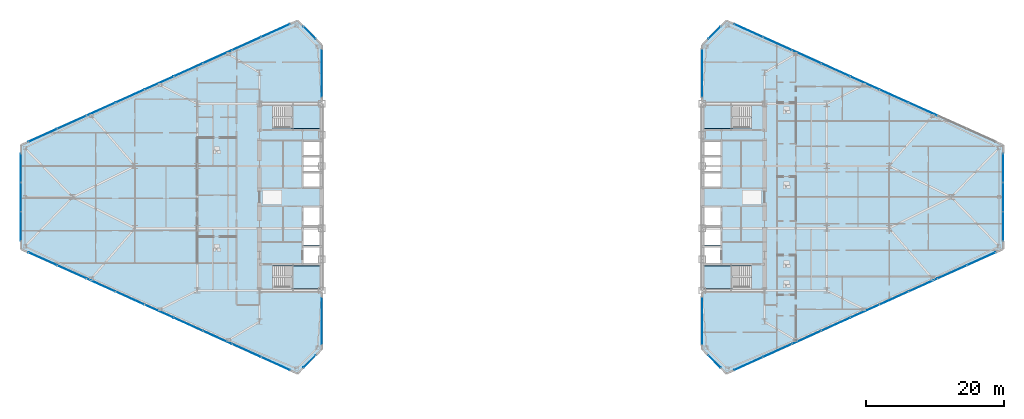
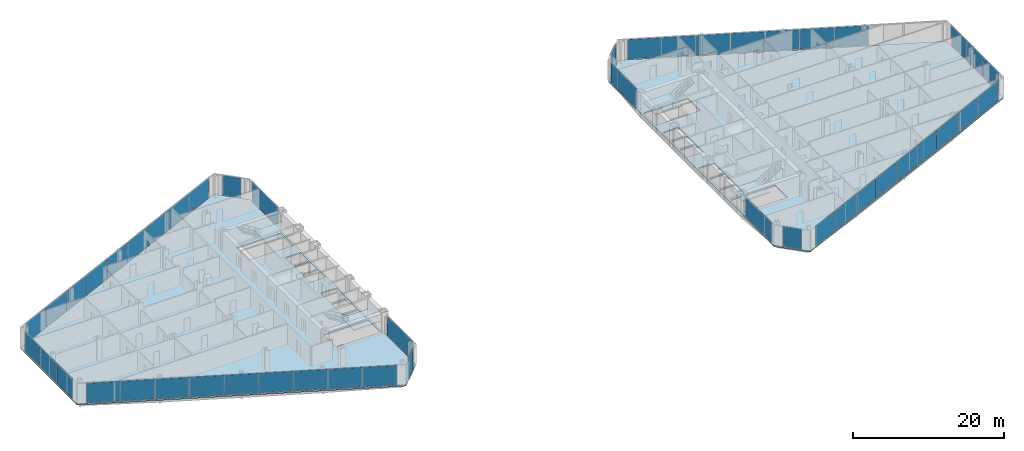
# One storey, part 17 of 27: 48 plates, 6 slabs, 18 elements without a shape of their own.
"""IFC4 building model written with IfcOpenShell, lengths in metres."""

import ifcopenshell
import ifcopenshell.guid

model = None  # the IFC model being written
_history = None  # IfcOwnerHistory: only IFC2X3 demands one
_inside = {}  # id of a spatial element -> (the spatial element, [elements in it])
_under = {}  # id of a project, library or spatial element -> (it, [spatial elements below it])
_declared = {}  # id of a project -> (the project, [libraries it declares])
_typed = {}  # id of a type object -> (the type object, [elements of that type])
_made_of = {}  # id of a material, layer set ... -> (it, [elements and type objects made of it])


def new_model(schema):
    """Start an empty IFC model of exactly this schema.

    Asked for "IFC4X3", IfcOpenShell would pick the latest addendum, in which some entities
    have other attributes; the version numbers below select the first issue.
    IFC2X3 requires an IfcOwnerHistory on every rooted entity: one is made here for all.
    """
    global model, _history
    if schema == "IFC4X3":
        model = ifcopenshell.file(schema_version=(4, 3, 0, 0))
    else:
        model = ifcopenshell.file(schema=schema)
    _inside.clear()
    _under.clear()
    _declared.clear()
    _typed.clear()
    _made_of.clear()
    _history = None
    if model.schema == "IFC2X3":
        org = make("IfcOrganization", Name="unknown")
        user = make(
            "IfcPersonAndOrganization",
            ThePerson=make("IfcPerson", FamilyName="unknown"),
            TheOrganization=org,
        )
        app = make(
            "IfcApplication",
            ApplicationDeveloper=org,
            Version="unknown",
            ApplicationFullName="unknown",
            ApplicationIdentifier="unknown",
        )
        _history = make(
            "IfcOwnerHistory",
            OwningUser=user,
            OwningApplication=app,
            ChangeAction="ADDED",
            CreationDate=0,
        )
    return model


def make(cls, **values):
    """One entity of the class cls with the attributes given. An attribute that is None is left unset."""
    return model.create_entity(
        cls, **{name: value for name, value in values.items() if value is not None}
    )


def rooted(cls, **values):
    """An entity with a GlobalId (a new one), such as an element, a storey or a relation."""
    return make(cls, GlobalId=ifcopenshell.guid.new(), OwnerHistory=_history, **values)


def si_unit(unit_type, name, prefix=None):
    """IfcSIUnit, for example si_unit("LENGTHUNIT", "METRE", prefix="MILLI")."""
    return make("IfcSIUnit", UnitType=unit_type, Prefix=prefix, Name=name)


def assignment(units):
    """IfcUnitAssignment: the units of a project."""
    return None if units is None else make("IfcUnitAssignment", Units=units)


def point(xyz):
    """IfcCartesianPoint."""
    return None if xyz is None else make("IfcCartesianPoint", Coordinates=xyz)


def direction(xyz):
    """IfcDirection."""
    return None if xyz is None else make("IfcDirection", DirectionRatios=xyz)


def frame(location, z_axis=None, x_axis=None):
    """IfcAxis2Placement3D, a coordinate frame: its origin and axes. An axis left out is left unset."""
    return make(
        "IfcAxis2Placement3D",
        Location=point(location),
        Axis=direction(z_axis),
        RefDirection=direction(x_axis),
    )


def frame_2d(location, x_axis=None):
    """IfcAxis2Placement2D, a coordinate frame in the plane: its origin and x axis."""
    return make(
        "IfcAxis2Placement2D", Location=point(location), RefDirection=direction(x_axis)
    )


def origin():
    """The frame at (0, 0, 0) with its axes left unset."""
    return frame((0.0, 0.0, 0.0))


def origin_2d():
    """The frame at (0, 0) in the plane with its x axis left unset."""
    return frame_2d((0.0, 0.0))


def place(relative_to, where):
    """IfcLocalPlacement: puts the frame where relative to a parent placement (None: the world)."""
    return make(
        "IfcLocalPlacement", PlacementRelTo=relative_to, RelativePlacement=where
    )


def context(
    kind, dimensions, precision=None, world=None, true_north=None, identifier=None
):
    """IfcGeometricRepresentationContext, for example the 3D "Model" context."""
    return make(
        "IfcGeometricRepresentationContext",
        ContextIdentifier=identifier,
        ContextType=kind,
        CoordinateSpaceDimension=dimensions,
        Precision=precision,
        WorldCoordinateSystem=world,
        TrueNorth=true_north,
    )


def subcontext(parent, identifier, kind, view, scale=None):
    """IfcGeometricRepresentationSubContext, for example "Body" below "Model"."""
    return make(
        "IfcGeometricRepresentationSubContext",
        ContextIdentifier=identifier,
        ContextType=kind,
        ParentContext=parent,
        TargetScale=scale,
        TargetView=view,
    )


def project(units=None, contexts=None):
    """IfcProject with its units and contexts."""
    return rooted(
        "IfcProject",
        Name="project",
        RepresentationContexts=contexts,
        UnitsInContext=assignment(units),
    )


def spatial(cls, under=None, at=None, **own):
    """A site, building, storey or space (cls), placed at a placement, below another one or the project."""
    s = rooted(cls, ObjectPlacement=at, **own)
    if under is not None:
        _under.setdefault(under.id(), (under, []))[1].append(s)
    return s


def polyline(points):
    """IfcPolyline through the points."""
    return make("IfcPolyline", Points=[point(p) for p in points])


def profile(cls, at=None, kind="AREA", **sizes):
    """A parametric profile (cls). Its sizes go by their IFC names, for example OverallWidth=200.0."""
    return make(cls, ProfileType=kind, Position=at, **sizes)


def rectangle(**sizes):
    """IfcRectangleProfileDef."""
    return profile("IfcRectangleProfileDef", **sizes)


def outline(outer, holes=None, kind="AREA"):
    """IfcArbitraryClosedProfileDef: a profile drawn as a closed curve; with holes, ...WithVoids."""
    if holes is None:
        return make("IfcArbitraryClosedProfileDef", ProfileType=kind, OuterCurve=outer)
    return make(
        "IfcArbitraryProfileDefWithVoids",
        ProfileType=kind,
        OuterCurve=outer,
        InnerCurves=holes,
    )


def extrude(swept, where, along, depth):
    """IfcExtrudedAreaSolid: the profile swept, set in the frame where, extruded along a direction by depth."""
    return make(
        "IfcExtrudedAreaSolid",
        SweptArea=swept,
        Position=where,
        ExtrudedDirection=direction(along),
        Depth=depth,
    )


def shape(context_of_items, identifier, shape_type, items):
    """IfcShapeRepresentation: the items that make up one representation, for example the "Body"."""
    return make(
        "IfcShapeRepresentation",
        ContextOfItems=context_of_items,
        RepresentationIdentifier=identifier,
        RepresentationType=shape_type,
        Items=items,
    )


def source(mapping_origin, context_of_items, identifier, shape_type, items):
    """IfcRepresentationMap: a shape defined once, which mapped items show again and again."""
    return make(
        "IfcRepresentationMap",
        MappingOrigin=mapping_origin,
        MappedRepresentation=shape(context_of_items, identifier, shape_type, items),
    )


def transform(
    local_origin,
    x_axis=None,
    y_axis=None,
    z_axis=None,
    scale=None,
    scale2=None,
    scale3=None,
    uniform=True,
):
    """IfcCartesianTransformationOperator3D, or its non-uniform kind. x_axis, y_axis, z_axis: its Axis1, 2, 3."""
    if uniform:
        return make(
            "IfcCartesianTransformationOperator3D",
            Axis1=direction(x_axis),
            Axis2=direction(y_axis),
            LocalOrigin=point(local_origin),
            Scale=scale,
            Axis3=direction(z_axis),
        )
    return make(
        "IfcCartesianTransformationOperator3DnonUniform",
        Axis1=direction(x_axis),
        Axis2=direction(y_axis),
        LocalOrigin=point(local_origin),
        Scale=scale,
        Axis3=direction(z_axis),
        Scale2=scale2,
        Scale3=scale3,
    )


def mapped(mapping_source, mapping_target):
    """IfcMappedItem: shows the shape of a source again, moved by a transform."""
    return make(
        "IfcMappedItem", MappingSource=mapping_source, MappingTarget=mapping_target
    )


def material(Name=None, Category=None):
    """IfcMaterial."""
    return make("IfcMaterial", Name=Name, Category=Category)


def layer(
    of_material, thickness, ventilated=None, Name=None, Category=None, Priority=None
):
    """IfcMaterialLayer: one layer of a wall or slab, of a material (None: an air gap)."""
    return make(
        "IfcMaterialLayer",
        Material=of_material,
        LayerThickness=thickness,
        IsVentilated=ventilated,
        Name=Name,
        Category=Category,
        Priority=Priority,
    )


def layer_set(layers, Name=None):
    """IfcMaterialLayerSet."""
    return make("IfcMaterialLayerSet", MaterialLayers=layers, LayerSetName=Name)


def made_of(thing, what):
    """Note that an element or type object is made of a material, layer set ...; save() writes the relation."""
    if what is not None:
        _made_of.setdefault(what.id(), (what, []))[1].append(thing)
    return thing


def type_object(cls, material=None, **own):
    """A type object (cls), such as IfcWallType, which elements share."""
    return made_of(rooted(cls, **own), material)


def type_shapes(of_type, sources):
    """Give a type object the sources (RepresentationMaps) that its elements show as mapped items."""
    of_type.RepresentationMaps = sources


def element(
    cls,
    number,
    at=None,
    inside=None,
    cuts=None,
    type_object=None,
    material=None,
    context=None,
    identifier="Body",
    shape_type=None,
    held_by="IfcProductDefinitionShape",
    body=None,
    shapes=None,
    **own,
):
    """One element of the class cls, such as IfcWall. Its Tag is "e" and its number.

    at: its placement. inside: the storey or other place that contains it. cuts: it is an
    opening in that element (IfcRelVoidsElement). A single representation is given by context,
    identifier, shape_type and body (its items); several are given by shapes. held_by: the class
    of the entity that holds the representations. save() writes the other relations.
    """
    e = rooted(cls, Tag="e%d" % number, ObjectPlacement=at, **own)
    if body is not None:
        shapes = [shape(context, identifier, shape_type, body)]
    if shapes is not None:
        e.Representation = make(held_by, Representations=shapes)
    if inside is not None:
        _inside.setdefault(inside.id(), (inside, []))[1].append(e)
    if cuts is not None:
        rooted(
            "IfcRelVoidsElement", RelatingBuildingElement=cuts, RelatedOpeningElement=e
        )
    if type_object is not None:
        _typed.setdefault(type_object.id(), (type_object, []))[1].append(e)
    return made_of(e, material)


def aggregate(whole, parts):
    """IfcRelAggregates: a whole, such as a stair, and the parts it consists of."""
    return rooted("IfcRelAggregates", RelatingObject=whole, RelatedObjects=parts)


def save(model, path):
    """Write the relations noted so far, then the file.

    IfcRelAggregates (storeys below a building ...), IfcRelContainedInSpatialStructure (elements
    in a storey), IfcRelDefinesByType, IfcRelAssociatesMaterial and IfcRelDeclares: one each for
    every whole, place, type object, material and project.
    """
    for whole, parts in _under.values():
        aggregate(whole, parts)
    for where, things in _inside.values():
        rooted(
            "IfcRelContainedInSpatialStructure",
            RelatedElements=things,
            RelatingStructure=where,
        )
    for kind, things in _typed.values():
        rooted("IfcRelDefinesByType", RelatedObjects=things, RelatingType=kind)
    for what, things in _made_of.values():
        rooted("IfcRelAssociatesMaterial", RelatedObjects=things, RelatingMaterial=what)
    for by, libraries in _declared.values():
        rooted("IfcRelDeclares", RelatingContext=by, RelatedDefinitions=libraries)
    model.write(path)


model = new_model("IFC4")

# Units and contexts
model_context = context("Model", 3, precision=1e-05, world=origin(), true_north=direction((0.0, 1.0)))
body_context = subcontext(model_context, "Body", "Model", "MODEL_VIEW")
ifc_project = project(units=[si_unit("LENGTHUNIT", "METRE"), si_unit("AREAUNIT", "SQUARE_METRE"), si_unit("VOLUMEUNIT", "CUBIC_METRE"), si_unit("PLANEANGLEUNIT", "RADIAN"), si_unit("MASSUNIT", "GRAM", prefix="KILO")], contexts=[model_context])

# Site, building, storey
site_placement = place(None, origin())
site = spatial("IfcSite", under=ifc_project, at=site_placement, CompositionType="ELEMENT")
building_placement = place(site_placement, origin())
building = spatial("IfcBuilding", under=site, at=building_placement, Name="Seokmaru Belvedere", CompositionType="ELEMENT")
storey_placement = place(building_placement, frame((0.0, 0.0, 83.699951171875)))
storey = spatial("IfcBuildingStorey", under=building, at=storey_placement, Name="L22", CompositionType="ELEMENT", Elevation=83.699951171875)

# Stair, slab
ifc_material_1 = material(Name="Concrete C40 (40 MPa)", Category="concrete")
stair_type = type_object("IfcStairType", Name="Typical Tower Core Dog-Leg Stair 3600", PredefinedType="TWO_STRAIGHT_RUN_STAIR", material=ifc_material_1)
stair_1_placement = place(storey_placement, origin())
stair_1 = element("IfcStair", 1, at=stair_1_placement, inside=storey, type_object=stair_type, Name="L22 Special Escape Stair ST-W1", PredefinedType="TWO_STRAIGHT_RUN_STAIR")
ifc_layer_1 = layer(ifc_material_1, 0.199951171875)
ifc_layer_set_1 = layer_set([ifc_layer_1], Name="Concrete C40 (40 MPa)")
slab_type_1 = type_object("IfcSlabType", Name="Reinforced Concrete Stair Landing Slab 200", PredefinedType="LANDING", material=ifc_layer_set_1)
slab_1_placement = place(storey_placement, frame((0.0, 0.0, 1.60009765625)))
slab_1 = element("IfcSlab", 2, at=slab_1_placement, type_object=slab_type_1, Name="ST-W1 landing 1", PredefinedType="LANDING", context=body_context, shape_type="SweptSolid", body=[
    extrude(outline(polyline([(-31.8798828125, -13.239990234375), (-27.760009765625, -13.239990234375), (-27.760009765625, -9.949951171875), (-31.8798828125, -9.949951171875), (-31.8798828125, -13.239990234375)])), origin(), (0.0, 0.0, 1.0), 0.199951171875),
])
aggregate(stair_1, [slab_1])

stair_2_placement = place(storey_placement, origin())
stair_2 = element("IfcStair", 3, at=stair_2_placement, inside=storey, type_object=stair_type, Name="L22 Special Escape Stair ST-W2", PredefinedType="TWO_STRAIGHT_RUN_STAIR")
slab_2_placement = place(storey_placement, frame((0.0, 0.0, 1.60009765625)))
slab_2 = element("IfcSlab", 4, at=slab_2_placement, type_object=slab_type_1, Name="ST-W2 landing 1", PredefinedType="LANDING", context=body_context, shape_type="SweptSolid", body=[
    extrude(outline(polyline([(-31.8798828125, 9.949951171875), (-27.760009765625, 9.949951171875), (-27.760009765625, 13.239990234375), (-31.8798828125, 13.239990234375), (-31.8798828125, 9.949951171875)])), origin(), (0.0, 0.0, 1.0), 0.199951171875),
])
aggregate(stair_2, [slab_2])

stair_3_placement = place(storey_placement, origin())
stair_3 = element("IfcStair", 5, at=stair_3_placement, inside=storey, type_object=stair_type, Name="L22 Special Escape Stair ST-E1", PredefinedType="TWO_STRAIGHT_RUN_STAIR")
slab_3_placement = place(storey_placement, frame((0.0, 0.0, 1.60009765625)))
slab_3 = element("IfcSlab", 6, at=slab_3_placement, type_object=slab_type_1, Name="ST-E1 landing 1", PredefinedType="LANDING", context=body_context, shape_type="SweptSolid", body=[
    extrude(outline(polyline([(27.760009765625, -13.239990234375), (31.8798828125, -13.239990234375), (31.8798828125, -9.949951171875), (27.760009765625, -9.949951171875), (27.760009765625, -13.239990234375)])), origin(), (0.0, 0.0, 1.0), 0.199951171875),
])
aggregate(stair_3, [slab_3])

stair_4_placement = place(storey_placement, origin())
stair_4 = element("IfcStair", 7, at=stair_4_placement, inside=storey, type_object=stair_type, Name="L22 Special Escape Stair ST-E2", PredefinedType="TWO_STRAIGHT_RUN_STAIR")
slab_4_placement = place(storey_placement, frame((0.0, 0.0, 1.60009765625)))
slab_4 = element("IfcSlab", 8, at=slab_4_placement, type_object=slab_type_1, Name="ST-E2 landing 1", PredefinedType="LANDING", context=body_context, shape_type="SweptSolid", body=[
    extrude(outline(polyline([(27.760009765625, 9.949951171875), (31.8798828125, 9.949951171875), (31.8798828125, 13.239990234375), (27.760009765625, 13.239990234375), (27.760009765625, 9.949951171875)])), origin(), (0.0, 0.0, 1.0), 0.199951171875),
])
aggregate(stair_4, [slab_4])

# Slabs
ifc_layer_2 = layer(ifc_material_1, 0.219970703125)
ifc_layer_set_2 = layer_set([ifc_layer_2], Name="Concrete C40 (40 MPa)")
slab_type_2 = type_object("IfcSlabType", Name="Typical Tower Composite Floor Slab 220", PredefinedType="FLOOR", material=ifc_layer_set_2)
slab_5_placement = place(storey_placement, frame((0.0, 0.0, -0.219970703125)))
element("IfcSlab", 9, at=slab_5_placement, inside=storey, type_object=slab_type_2, Name="L22 West Leg Floor Slab", PredefinedType="FLOOR", context=body_context, shape_type="SweptSolid", body=[
    extrude(outline(polyline([(-27.5, -22.0), (-27.5, 22.0), (-31.0, 25.5), (-71.0, 7.5), (-71.0, -7.5), (-31.0, -25.5), (-27.5, -22.0)]), holes=[polyline([(-34.60009765625, -13.25), (-27.75, -13.25), (-27.75, -9.949951171875), (-34.60009765625, -9.949951171875), (-34.60009765625, -13.25)]), polyline([(-34.60009765625, 9.949951171875), (-27.75, 9.949951171875), (-27.75, 13.25), (-34.60009765625, 13.25), (-34.60009765625, 9.949951171875)]), polyline([(-30.14990234375, -9.550048828125), (-27.75, -9.550048828125), (-27.75, -7.25), (-30.14990234375, -7.25), (-30.14990234375, -9.550048828125)]), polyline([(-30.14990234375, -6.949951171875), (-27.75, -6.949951171875), (-27.75, -4.35009765625), (-30.14990234375, -4.35009765625), (-30.14990234375, -6.949951171875)]), polyline([(-30.14990234375, -4.050048828125), (-27.75, -4.050048828125), (-27.75, -1.449951171875), (-30.14990234375, -1.449951171875), (-30.14990234375, -4.050048828125)]), polyline([(-30.14990234375, 1.449951171875), (-27.75, 1.449951171875), (-27.75, 3.449951171875), (-30.14990234375, 3.449951171875), (-30.14990234375, 1.449951171875)]), polyline([(-30.14990234375, 3.75), (-27.75, 3.75), (-27.75, 5.75), (-30.14990234375, 5.75), (-30.14990234375, 3.75)]), polyline([(-30.14990234375, 6.050048828125), (-27.75, 6.050048828125), (-27.75, 8.050048828125), (-30.14990234375, 8.050048828125), (-30.14990234375, 6.050048828125)])]), origin(), (0.0, 0.0, 1.0), 0.219970703125),
])
slab_6_placement = place(storey_placement, frame((0.0, 0.0, -0.219970703125)))
element("IfcSlab", 10, at=slab_6_placement, inside=storey, type_object=slab_type_2, Name="L22 East Leg Floor Slab", PredefinedType="FLOOR", context=body_context, shape_type="SweptSolid", body=[
    extrude(outline(polyline([(31.0, -25.5), (71.0, -7.5), (71.0, 7.5), (31.0, 25.5), (27.5, 22.0), (27.5, -22.0), (31.0, -25.5)]), holes=[polyline([(27.75, -13.25), (34.60009765625, -13.25), (34.60009765625, -9.949951171875), (27.75, -9.949951171875), (27.75, -13.25)]), polyline([(27.75, 9.949951171875), (34.60009765625, 9.949951171875), (34.60009765625, 13.25), (27.75, 13.25), (27.75, 9.949951171875)]), polyline([(27.75, -9.550048828125), (30.14990234375, -9.550048828125), (30.14990234375, -7.25), (27.75, -7.25), (27.75, -9.550048828125)]), polyline([(27.75, -6.949951171875), (30.14990234375, -6.949951171875), (30.14990234375, -4.35009765625), (27.75, -4.35009765625), (27.75, -6.949951171875)]), polyline([(27.75, -4.050048828125), (30.14990234375, -4.050048828125), (30.14990234375, -1.449951171875), (27.75, -1.449951171875), (27.75, -4.050048828125)]), polyline([(27.75, 1.449951171875), (30.14990234375, 1.449951171875), (30.14990234375, 3.449951171875), (27.75, 3.449951171875), (27.75, 1.449951171875)]), polyline([(27.75, 3.75), (30.14990234375, 3.75), (30.14990234375, 5.75), (27.75, 5.75), (27.75, 3.75)]), polyline([(27.75, 6.050048828125), (30.14990234375, 6.050048828125), (30.14990234375, 8.050048828125), (27.75, 8.050048828125), (27.75, 6.050048828125)])]), origin(), (0.0, 0.0, 1.0), 0.219970703125),
])

# Curtain wall, plate
ifc_material_2 = material(Name="Bronze Triple Insulating Glass", Category="glass")
ifc_layer_3 = layer(ifc_material_2, 0.195068359375)
ifc_layer_set_3 = layer_set([ifc_layer_3], Name="Bronze Triple Insulating Glass")
curtain_wall_type = type_object("IfcCurtainWallType", Name="Lower-Mid Tapered Curtain Wall System CW-3", PredefinedType="NOTDEFINED", material=ifc_layer_set_3)
curtain_wall_1_placement = place(storey_placement, origin())
curtain_wall_1 = element("IfcCurtainWall", 11, at=curtain_wall_1_placement, inside=storey, type_object=curtain_wall_type, Name="L22 Curtain Wall WSP_1", PredefinedType="NOTDEFINED")
ifc_layer_4 = layer(ifc_material_2, 0.035888671875)
ifc_layer_set_4 = layer_set([ifc_layer_4], Name="Bronze Triple Insulating Glass")
plate_type = type_object("IfcPlateType", Name="Bronze Triple Vision Glazing Panel 36", PredefinedType="CURTAIN_PANEL", material=ifc_layer_set_4)
shared_shape_1 = source(origin(), body_context, "Body", "SweptSolid", [
    extrude(rectangle(XDim=6.909912109375, YDim=0.035888671875, at=origin_2d()), origin(), (0.0, 0.0, 1.0), 3.199951171875),
])
plate_1_placement = place(storey_placement, frame((-27.5, -17.905029296875, 0.0703125), z_axis=(0.0, 0.0, 1.0), x_axis=(0.0, 1.0, 0.0)))
plate_1 = element("IfcPlate", 12, at=plate_1_placement, type_object=plate_type, Name="CW:L22:WSP_1 Glazing Panel 1-1", PredefinedType="CURTAIN_PANEL", context=body_context, shape_type="MappedRepresentation", body=[
    mapped(shared_shape_1, transform((0.0, 0.0, 0.0), scale=1.0)),
])
aggregate(curtain_wall_1, [plate_1])

curtain_wall_2_placement = place(storey_placement, origin())
curtain_wall_2 = element("IfcCurtainWall", 13, at=curtain_wall_2_placement, inside=storey, type_object=curtain_wall_type, Name="L22 Curtain Wall WSP_2", PredefinedType="NOTDEFINED")
plate_2_placement = place(storey_placement, frame((-27.5, 17.905029296875, 0.0703125), z_axis=(0.0, 0.0, 1.0), x_axis=(0.0, 1.0, 0.0)))
plate_2 = element("IfcPlate", 14, at=plate_2_placement, type_object=plate_type, Name="CW:L22:WSP_2 Glazing Panel 1-1", PredefinedType="CURTAIN_PANEL", context=body_context, shape_type="MappedRepresentation", body=[
    mapped(shared_shape_1, transform((0.0, 0.0, 0.0), scale=1.0)),
])
aggregate(curtain_wall_2, [plate_2])

curtain_wall_3_placement = place(storey_placement, origin())
curtain_wall_3 = element("IfcCurtainWall", 15, at=curtain_wall_3_placement, inside=storey, type_object=curtain_wall_type, Name="L22 Curtain Wall ESP_1", PredefinedType="NOTDEFINED")
plate_3_placement = place(storey_placement, frame((27.5, -17.905029296875, 0.0703125), z_axis=(0.0, 0.0, 1.0), x_axis=(0.0, -1.0, 0.0)))
plate_3 = element("IfcPlate", 16, at=plate_3_placement, type_object=plate_type, Name="CW:L22:ESP_1 Glazing Panel 1-1", PredefinedType="CURTAIN_PANEL", context=body_context, shape_type="MappedRepresentation", body=[
    mapped(shared_shape_1, transform((0.0, 0.0, 0.0), scale=1.0)),
])
aggregate(curtain_wall_3, [plate_3])

curtain_wall_4_placement = place(storey_placement, origin())
curtain_wall_4 = element("IfcCurtainWall", 17, at=curtain_wall_4_placement, inside=storey, type_object=curtain_wall_type, Name="L22 Curtain Wall ESP_2", PredefinedType="NOTDEFINED")
plate_4_placement = place(storey_placement, frame((27.5, 17.905029296875, 0.0703125), z_axis=(0.0, 0.0, 1.0), x_axis=(0.0, -1.0, 0.0)))
plate_4 = element("IfcPlate", 18, at=plate_4_placement, type_object=plate_type, Name="CW:L22:ESP_2 Glazing Panel 1-1", PredefinedType="CURTAIN_PANEL", context=body_context, shape_type="MappedRepresentation", body=[
    mapped(shared_shape_1, transform((0.0, 0.0, 0.0), scale=1.0)),
])
aggregate(curtain_wall_4, [plate_4])

curtain_wall_5_placement = place(storey_placement, origin())
curtain_wall_5 = element("IfcCurtainWall", 19, at=curtain_wall_5_placement, inside=storey, type_object=curtain_wall_type, Name="L22 Curtain Wall WF2", PredefinedType="NOTDEFINED")
shared_shape_2 = source(origin(), body_context, "Body", "SweptSolid", [
    extrude(rectangle(XDim=2.509765625, YDim=0.035888671875, at=origin_2d()), origin(), (0.0, 0.0, 1.0), 3.199951171875),
])
plate_5_placement = place(storey_placement, frame((-29.25, 23.75, 0.0703125), z_axis=(0.0, 0.0, 1.0), x_axis=(-0.707106781187, 0.707106781187, 0.0)))
plate_5 = element("IfcPlate", 20, at=plate_5_placement, type_object=plate_type, Name="CW:L22:WF2 Glazing Panel 1-1", PredefinedType="CURTAIN_PANEL", context=body_context, shape_type="MappedRepresentation", body=[
    mapped(shared_shape_2, transform((0.0, 0.0, 0.0), scale=1.0)),
])
aggregate(curtain_wall_5, [plate_5])

curtain_wall_6_placement = place(storey_placement, origin())
curtain_wall_6 = element("IfcCurtainWall", 21, at=curtain_wall_6_placement, inside=storey, type_object=curtain_wall_type, Name="L22 Curtain Wall WF6", PredefinedType="NOTDEFINED")
plate_6_placement = place(storey_placement, frame((-29.25, -23.75, 0.0703125), z_axis=(0.0, 0.0, 1.0), x_axis=(0.707106781187, 0.707106781187, 0.0)))
plate_6 = element("IfcPlate", 22, at=plate_6_placement, type_object=plate_type, Name="CW:L22:WF6 Glazing Panel 1-1", PredefinedType="CURTAIN_PANEL", context=body_context, shape_type="MappedRepresentation", body=[
    mapped(shared_shape_2, transform((0.0, 0.0, 0.0), scale=1.0)),
])
aggregate(curtain_wall_6, [plate_6])

curtain_wall_7_placement = place(storey_placement, origin())
curtain_wall_7 = element("IfcCurtainWall", 23, at=curtain_wall_7_placement, inside=storey, type_object=curtain_wall_type, Name="L22 Curtain Wall EF4", PredefinedType="NOTDEFINED")
plate_7_placement = place(storey_placement, frame((29.25, 23.75, 0.0703125), z_axis=(0.0, 0.0, 1.0), x_axis=(-0.707106781187, -0.707106781187, 0.0)))
plate_7 = element("IfcPlate", 24, at=plate_7_placement, type_object=plate_type, Name="CW:L22:EF4 Glazing Panel 1-1", PredefinedType="CURTAIN_PANEL", context=body_context, shape_type="MappedRepresentation", body=[
    mapped(shared_shape_2, transform((0.0, 0.0, 0.0), scale=1.0)),
])
aggregate(curtain_wall_7, [plate_7])

curtain_wall_8_placement = place(storey_placement, origin())
curtain_wall_8 = element("IfcCurtainWall", 25, at=curtain_wall_8_placement, inside=storey, type_object=curtain_wall_type, Name="L22 Curtain Wall EF6", PredefinedType="NOTDEFINED")
plate_8_placement = place(storey_placement, frame((29.25, -23.75, 0.0703125), z_axis=(0.0, 0.0, 1.0), x_axis=(0.707106781187, -0.707106781187, 0.0)))
plate_8 = element("IfcPlate", 26, at=plate_8_placement, type_object=plate_type, Name="CW:L22:EF6 Glazing Panel 1-1", PredefinedType="CURTAIN_PANEL", context=body_context, shape_type="MappedRepresentation", body=[
    mapped(shared_shape_2, transform((0.0, 0.0, 0.0), scale=1.0)),
])
aggregate(curtain_wall_8, [plate_8])

# Curtain wall, plates
curtain_wall_9_placement = place(storey_placement, origin())
curtain_wall_9 = element("IfcCurtainWall", 27, at=curtain_wall_9_placement, inside=storey, type_object=curtain_wall_type, Name="L22 Curtain Wall WF3", PredefinedType="NOTDEFINED")
shared_shape_3 = source(origin(), body_context, "Body", "SweptSolid", [
    extrude(rectangle(XDim=4.51318359375, YDim=0.035888671875, at=origin_2d()), origin(), (0.0, 0.0, 1.0), 3.199951171875),
])
plate_9_placement = place(storey_placement, frame((-34.17041015625, 24.073486328125, 0.0703125), z_axis=(0.0, 0.0, 1.0), x_axis=(-0.91192111353, -0.41036554765, 0.0)))
plate_9 = element("IfcPlate", 28, at=plate_9_placement, type_object=plate_type, Name="CW:L22:WF3 Glazing Panel 1-1", PredefinedType="CURTAIN_PANEL", context=body_context, shape_type="MappedRepresentation", body=[
    mapped(shared_shape_3, transform((0.0, 0.0, 0.0), scale=1.0)),
])
plate_10_placement = place(storey_placement, frame((-67.82958984375, 8.926513671875, 0.0703125), z_axis=(0.0, 0.0, 1.0), x_axis=(-0.91192111353, -0.41036554765, 0.0)))
plate_10 = element("IfcPlate", 29, at=plate_10_placement, type_object=plate_type, Name="CW:L22:WF3 Glazing Panel 9-1", PredefinedType="CURTAIN_PANEL", context=body_context, shape_type="MappedRepresentation", body=[
    mapped(shared_shape_3, transform((0.0, 0.0, 0.0), scale=1.0)),
])

curtain_wall_10_placement = place(storey_placement, origin())
curtain_wall_10 = element("IfcCurtainWall", 30, at=curtain_wall_10_placement, inside=storey, type_object=curtain_wall_type, Name="L22 Curtain Wall WF5", PredefinedType="NOTDEFINED")
plate_11_placement = place(storey_placement, frame((-67.82958984375, -8.926513671875, 0.0703125), z_axis=(0.0, 0.0, 1.0), x_axis=(0.91192111353, -0.41036554765, 0.0)))
plate_11 = element("IfcPlate", 31, at=plate_11_placement, type_object=plate_type, Name="CW:L22:WF5 Glazing Panel 1-1", PredefinedType="CURTAIN_PANEL", context=body_context, shape_type="MappedRepresentation", body=[
    mapped(shared_shape_3, transform((0.0, 0.0, 0.0), scale=1.0)),
])
plate_12_placement = place(storey_placement, frame((-34.17041015625, -24.073486328125, 0.0703125), z_axis=(0.0, 0.0, 1.0), x_axis=(0.91192111353, -0.41036554765, 0.0)))
plate_12 = element("IfcPlate", 32, at=plate_12_placement, type_object=plate_type, Name="CW:L22:WF5 Glazing Panel 9-1", PredefinedType="CURTAIN_PANEL", context=body_context, shape_type="MappedRepresentation", body=[
    mapped(shared_shape_3, transform((0.0, 0.0, 0.0), scale=1.0)),
])

curtain_wall_11_placement = place(storey_placement, origin())
curtain_wall_11 = element("IfcCurtainWall", 33, at=curtain_wall_11_placement, inside=storey, type_object=curtain_wall_type, Name="L22 Curtain Wall EF1", PredefinedType="NOTDEFINED")
plate_13_placement = place(storey_placement, frame((34.17041015625, -24.073486328125, 0.0703125), z_axis=(0.0, 0.0, 1.0), x_axis=(0.91192111353, 0.41036554765, 0.0)))
plate_13 = element("IfcPlate", 34, at=plate_13_placement, type_object=plate_type, Name="CW:L22:EF1 Glazing Panel 1-1", PredefinedType="CURTAIN_PANEL", context=body_context, shape_type="MappedRepresentation", body=[
    mapped(shared_shape_3, transform((0.0, 0.0, 0.0), scale=1.0)),
])
plate_14_placement = place(storey_placement, frame((67.82958984375, -8.926513671875, 0.0703125), z_axis=(0.0, 0.0, 1.0), x_axis=(0.91192111353, 0.41036554765, 0.0)))
plate_14 = element("IfcPlate", 35, at=plate_14_placement, type_object=plate_type, Name="CW:L22:EF1 Glazing Panel 9-1", PredefinedType="CURTAIN_PANEL", context=body_context, shape_type="MappedRepresentation", body=[
    mapped(shared_shape_3, transform((0.0, 0.0, 0.0), scale=1.0)),
])

# Curtain wall, plate
curtain_wall_12_placement = place(storey_placement, origin())
curtain_wall_12 = element("IfcCurtainWall", 36, at=curtain_wall_12_placement, inside=storey, type_object=curtain_wall_type, Name="L22 Curtain Wall EF3", PredefinedType="NOTDEFINED")
plate_15_placement = place(storey_placement, frame((34.17041015625, 24.073486328125, 0.0703125), z_axis=(0.0, 0.0, 1.0), x_axis=(-0.91192111353, 0.41036554765, 0.0)))
plate_15 = element("IfcPlate", 37, at=plate_15_placement, type_object=plate_type, Name="CW:L22:EF3 Glazing Panel 9-1", PredefinedType="CURTAIN_PANEL", context=body_context, shape_type="MappedRepresentation", body=[
    mapped(shared_shape_3, transform((0.0, 0.0, 0.0), scale=1.0)),
])

# Plate
shared_shape_4 = source(origin(), body_context, "Body", "SweptSolid", [
    extrude(rectangle(XDim=4.548095703125, YDim=0.035888671875, at=origin_2d()), origin(), (0.0, 0.0, 1.0), 3.199951171875),
])
plate_16_placement = place(storey_placement, frame((-38.36572265625, 22.185302734375, 0.0703125), z_axis=(0.0, 0.0, 1.0), x_axis=(-0.91192111353, -0.41036554765, 0.0)))
plate_16 = element("IfcPlate", 38, at=plate_16_placement, type_object=plate_type, Name="CW:L22:WF3 Glazing Panel 2-1", PredefinedType="CURTAIN_PANEL", context=body_context, shape_type="MappedRepresentation", body=[
    mapped(shared_shape_4, transform((0.0, 0.0, 0.0), scale=1.0)),
])

plate_17_placement = place(storey_placement, frame((-42.5771484375, 20.290283203125, 0.0703125), z_axis=(0.0, 0.0, 1.0), x_axis=(-0.91192111353, -0.41036554765, 0.0)))
plate_17 = element("IfcPlate", 39, at=plate_17_placement, type_object=plate_type, Name="CW:L22:WF3 Glazing Panel 3-1", PredefinedType="CURTAIN_PANEL", context=body_context, shape_type="MappedRepresentation", body=[
    mapped(shared_shape_4, transform((0.0, 0.0, 0.0), scale=1.0)),
])

plate_18_placement = place(storey_placement, frame((-46.78857421875, 18.39501953125, 0.0703125), z_axis=(0.0, 0.0, 1.0), x_axis=(-0.91192111353, -0.41036554765, 0.0)))
plate_18 = element("IfcPlate", 40, at=plate_18_placement, type_object=plate_type, Name="CW:L22:WF3 Glazing Panel 4-1", PredefinedType="CURTAIN_PANEL", context=body_context, shape_type="MappedRepresentation", body=[
    mapped(shared_shape_4, transform((0.0, 0.0, 0.0), scale=1.0)),
])

plate_19_placement = place(storey_placement, frame((-51.0, 16.5, 0.0703125), z_axis=(0.0, 0.0, 1.0), x_axis=(-0.91192111353, -0.41036554765, 0.0)))
plate_19 = element("IfcPlate", 41, at=plate_19_placement, type_object=plate_type, Name="CW:L22:WF3 Glazing Panel 5-1", PredefinedType="CURTAIN_PANEL", context=body_context, shape_type="MappedRepresentation", body=[
    mapped(shared_shape_4, transform((0.0, 0.0, 0.0), scale=1.0)),
])

plate_20_placement = place(storey_placement, frame((-55.21142578125, 14.60498046875, 0.0703125), z_axis=(0.0, 0.0, 1.0), x_axis=(-0.91192111353, -0.41036554765, 0.0)))
plate_20 = element("IfcPlate", 42, at=plate_20_placement, type_object=plate_type, Name="CW:L22:WF3 Glazing Panel 6-1", PredefinedType="CURTAIN_PANEL", context=body_context, shape_type="MappedRepresentation", body=[
    mapped(shared_shape_4, transform((0.0, 0.0, 0.0), scale=1.0)),
])

plate_21_placement = place(storey_placement, frame((-59.4228515625, 12.709716796875, 0.0703125), z_axis=(0.0, 0.0, 1.0), x_axis=(-0.91192111353, -0.41036554765, 0.0)))
plate_21 = element("IfcPlate", 43, at=plate_21_placement, type_object=plate_type, Name="CW:L22:WF3 Glazing Panel 7-1", PredefinedType="CURTAIN_PANEL", context=body_context, shape_type="MappedRepresentation", body=[
    mapped(shared_shape_4, transform((0.0, 0.0, 0.0), scale=1.0)),
])

plate_22_placement = place(storey_placement, frame((-63.63427734375, 10.814697265625, 0.0703125), z_axis=(0.0, 0.0, 1.0), x_axis=(-0.91192111353, -0.41036554765, 0.0)))
plate_22 = element("IfcPlate", 44, at=plate_22_placement, type_object=plate_type, Name="CW:L22:WF3 Glazing Panel 8-1", PredefinedType="CURTAIN_PANEL", context=body_context, shape_type="MappedRepresentation", body=[
    mapped(shared_shape_4, transform((0.0, 0.0, 0.0), scale=1.0)),
])

aggregate(curtain_wall_9, [plate_9, plate_16, plate_17, plate_18, plate_19, plate_20, plate_21, plate_22, plate_10])

plate_23_placement = place(storey_placement, frame((-63.63427734375, -10.814697265625, 0.0703125), z_axis=(0.0, 0.0, 1.0), x_axis=(0.91192111353, -0.41036554765, 0.0)))
plate_23 = element("IfcPlate", 45, at=plate_23_placement, type_object=plate_type, Name="CW:L22:WF5 Glazing Panel 2-1", PredefinedType="CURTAIN_PANEL", context=body_context, shape_type="MappedRepresentation", body=[
    mapped(shared_shape_4, transform((0.0, 0.0, 0.0), scale=1.0)),
])

plate_24_placement = place(storey_placement, frame((-59.4228515625, -12.709716796875, 0.0703125), z_axis=(0.0, 0.0, 1.0), x_axis=(0.91192111353, -0.41036554765, 0.0)))
plate_24 = element("IfcPlate", 46, at=plate_24_placement, type_object=plate_type, Name="CW:L22:WF5 Glazing Panel 3-1", PredefinedType="CURTAIN_PANEL", context=body_context, shape_type="MappedRepresentation", body=[
    mapped(shared_shape_4, transform((0.0, 0.0, 0.0), scale=1.0)),
])

plate_25_placement = place(storey_placement, frame((-55.21142578125, -14.60498046875, 0.0703125), z_axis=(0.0, 0.0, 1.0), x_axis=(0.91192111353, -0.41036554765, 0.0)))
plate_25 = element("IfcPlate", 47, at=plate_25_placement, type_object=plate_type, Name="CW:L22:WF5 Glazing Panel 4-1", PredefinedType="CURTAIN_PANEL", context=body_context, shape_type="MappedRepresentation", body=[
    mapped(shared_shape_4, transform((0.0, 0.0, 0.0), scale=1.0)),
])

plate_26_placement = place(storey_placement, frame((-51.0, -16.5, 0.0703125), z_axis=(0.0, 0.0, 1.0), x_axis=(0.91192111353, -0.41036554765, 0.0)))
plate_26 = element("IfcPlate", 48, at=plate_26_placement, type_object=plate_type, Name="CW:L22:WF5 Glazing Panel 5-1", PredefinedType="CURTAIN_PANEL", context=body_context, shape_type="MappedRepresentation", body=[
    mapped(shared_shape_4, transform((0.0, 0.0, 0.0), scale=1.0)),
])

plate_27_placement = place(storey_placement, frame((-46.78857421875, -18.39501953125, 0.0703125), z_axis=(0.0, 0.0, 1.0), x_axis=(0.91192111353, -0.41036554765, 0.0)))
plate_27 = element("IfcPlate", 49, at=plate_27_placement, type_object=plate_type, Name="CW:L22:WF5 Glazing Panel 6-1", PredefinedType="CURTAIN_PANEL", context=body_context, shape_type="MappedRepresentation", body=[
    mapped(shared_shape_4, transform((0.0, 0.0, 0.0), scale=1.0)),
])

plate_28_placement = place(storey_placement, frame((-42.5771484375, -20.290283203125, 0.0703125), z_axis=(0.0, 0.0, 1.0), x_axis=(0.91192111353, -0.41036554765, 0.0)))
plate_28 = element("IfcPlate", 50, at=plate_28_placement, type_object=plate_type, Name="CW:L22:WF5 Glazing Panel 7-1", PredefinedType="CURTAIN_PANEL", context=body_context, shape_type="MappedRepresentation", body=[
    mapped(shared_shape_4, transform((0.0, 0.0, 0.0), scale=1.0)),
])

plate_29_placement = place(storey_placement, frame((-38.36572265625, -22.185302734375, 0.0703125), z_axis=(0.0, 0.0, 1.0), x_axis=(0.91192111353, -0.41036554765, 0.0)))
plate_29 = element("IfcPlate", 51, at=plate_29_placement, type_object=plate_type, Name="CW:L22:WF5 Glazing Panel 8-1", PredefinedType="CURTAIN_PANEL", context=body_context, shape_type="MappedRepresentation", body=[
    mapped(shared_shape_4, transform((0.0, 0.0, 0.0), scale=1.0)),
])

aggregate(curtain_wall_10, [plate_11, plate_23, plate_24, plate_25, plate_26, plate_27, plate_28, plate_29, plate_12])

plate_30_placement = place(storey_placement, frame((38.36572265625, -22.185302734375, 0.0703125), z_axis=(0.0, 0.0, 1.0), x_axis=(0.91192111353, 0.41036554765, 0.0)))
plate_30 = element("IfcPlate", 52, at=plate_30_placement, type_object=plate_type, Name="CW:L22:EF1 Glazing Panel 2-1", PredefinedType="CURTAIN_PANEL", context=body_context, shape_type="MappedRepresentation", body=[
    mapped(shared_shape_4, transform((0.0, 0.0, 0.0), scale=1.0)),
])

plate_31_placement = place(storey_placement, frame((42.5771484375, -20.290283203125, 0.0703125), z_axis=(0.0, 0.0, 1.0), x_axis=(0.91192111353, 0.41036554765, 0.0)))
plate_31 = element("IfcPlate", 53, at=plate_31_placement, type_object=plate_type, Name="CW:L22:EF1 Glazing Panel 3-1", PredefinedType="CURTAIN_PANEL", context=body_context, shape_type="MappedRepresentation", body=[
    mapped(shared_shape_4, transform((0.0, 0.0, 0.0), scale=1.0)),
])

plate_32_placement = place(storey_placement, frame((46.78857421875, -18.39501953125, 0.0703125), z_axis=(0.0, 0.0, 1.0), x_axis=(0.91192111353, 0.41036554765, 0.0)))
plate_32 = element("IfcPlate", 54, at=plate_32_placement, type_object=plate_type, Name="CW:L22:EF1 Glazing Panel 4-1", PredefinedType="CURTAIN_PANEL", context=body_context, shape_type="MappedRepresentation", body=[
    mapped(shared_shape_4, transform((0.0, 0.0, 0.0), scale=1.0)),
])

plate_33_placement = place(storey_placement, frame((51.0, -16.5, 0.0703125), z_axis=(0.0, 0.0, 1.0), x_axis=(0.91192111353, 0.41036554765, 0.0)))
plate_33 = element("IfcPlate", 55, at=plate_33_placement, type_object=plate_type, Name="CW:L22:EF1 Glazing Panel 5-1", PredefinedType="CURTAIN_PANEL", context=body_context, shape_type="MappedRepresentation", body=[
    mapped(shared_shape_4, transform((0.0, 0.0, 0.0), scale=1.0)),
])

plate_34_placement = place(storey_placement, frame((55.21142578125, -14.60498046875, 0.0703125), z_axis=(0.0, 0.0, 1.0), x_axis=(0.91192111353, 0.41036554765, 0.0)))
plate_34 = element("IfcPlate", 56, at=plate_34_placement, type_object=plate_type, Name="CW:L22:EF1 Glazing Panel 6-1", PredefinedType="CURTAIN_PANEL", context=body_context, shape_type="MappedRepresentation", body=[
    mapped(shared_shape_4, transform((0.0, 0.0, 0.0), scale=1.0)),
])

plate_35_placement = place(storey_placement, frame((59.4228515625, -12.709716796875, 0.0703125), z_axis=(0.0, 0.0, 1.0), x_axis=(0.91192111353, 0.41036554765, 0.0)))
plate_35 = element("IfcPlate", 57, at=plate_35_placement, type_object=plate_type, Name="CW:L22:EF1 Glazing Panel 7-1", PredefinedType="CURTAIN_PANEL", context=body_context, shape_type="MappedRepresentation", body=[
    mapped(shared_shape_4, transform((0.0, 0.0, 0.0), scale=1.0)),
])

plate_36_placement = place(storey_placement, frame((63.63427734375, -10.814697265625, 0.0703125), z_axis=(0.0, 0.0, 1.0), x_axis=(0.91192111353, 0.41036554765, 0.0)))
plate_36 = element("IfcPlate", 58, at=plate_36_placement, type_object=plate_type, Name="CW:L22:EF1 Glazing Panel 8-1", PredefinedType="CURTAIN_PANEL", context=body_context, shape_type="MappedRepresentation", body=[
    mapped(shared_shape_4, transform((0.0, 0.0, 0.0), scale=1.0)),
])

aggregate(curtain_wall_11, [plate_13, plate_30, plate_31, plate_32, plate_33, plate_34, plate_35, plate_36, plate_14])

plate_37_placement = place(storey_placement, frame((59.4228515625, 12.709716796875, 0.0703125), z_axis=(0.0, 0.0, 1.0), x_axis=(-0.91192111353, 0.41036554765, 0.0)))
plate_37 = element("IfcPlate", 59, at=plate_37_placement, type_object=plate_type, Name="CW:L22:EF3 Glazing Panel 3-1", PredefinedType="CURTAIN_PANEL", context=body_context, shape_type="MappedRepresentation", body=[
    mapped(shared_shape_4, transform((0.0, 0.0, 0.0), scale=1.0)),
])

plate_38_placement = place(storey_placement, frame((55.21142578125, 14.60498046875, 0.0703125), z_axis=(0.0, 0.0, 1.0), x_axis=(-0.91192111353, 0.41036554765, 0.0)))
plate_38 = element("IfcPlate", 60, at=plate_38_placement, type_object=plate_type, Name="CW:L22:EF3 Glazing Panel 4-1", PredefinedType="CURTAIN_PANEL", context=body_context, shape_type="MappedRepresentation", body=[
    mapped(shared_shape_4, transform((0.0, 0.0, 0.0), scale=1.0)),
])

plate_39_placement = place(storey_placement, frame((51.0, 16.5, 0.0703125), z_axis=(0.0, 0.0, 1.0), x_axis=(-0.91192111353, 0.41036554765, 0.0)))
plate_39 = element("IfcPlate", 61, at=plate_39_placement, type_object=plate_type, Name="CW:L22:EF3 Glazing Panel 5-1", PredefinedType="CURTAIN_PANEL", context=body_context, shape_type="MappedRepresentation", body=[
    mapped(shared_shape_4, transform((0.0, 0.0, 0.0), scale=1.0)),
])

plate_40_placement = place(storey_placement, frame((46.78857421875, 18.39501953125, 0.0703125), z_axis=(0.0, 0.0, 1.0), x_axis=(-0.91192111353, 0.41036554765, 0.0)))
plate_40 = element("IfcPlate", 62, at=plate_40_placement, type_object=plate_type, Name="CW:L22:EF3 Glazing Panel 6-1", PredefinedType="CURTAIN_PANEL", context=body_context, shape_type="MappedRepresentation", body=[
    mapped(shared_shape_4, transform((0.0, 0.0, 0.0), scale=1.0)),
])

plate_41_placement = place(storey_placement, frame((42.5771484375, 20.290283203125, 0.0703125), z_axis=(0.0, 0.0, 1.0), x_axis=(-0.91192111353, 0.41036554765, 0.0)))
plate_41 = element("IfcPlate", 63, at=plate_41_placement, type_object=plate_type, Name="CW:L22:EF3 Glazing Panel 7-1", PredefinedType="CURTAIN_PANEL", context=body_context, shape_type="MappedRepresentation", body=[
    mapped(shared_shape_4, transform((0.0, 0.0, 0.0), scale=1.0)),
])

plate_42_placement = place(storey_placement, frame((38.36572265625, 22.185302734375, 0.0703125), z_axis=(0.0, 0.0, 1.0), x_axis=(-0.91192111353, 0.41036554765, 0.0)))
plate_42 = element("IfcPlate", 64, at=plate_42_placement, type_object=plate_type, Name="CW:L22:EF3 Glazing Panel 8-1", PredefinedType="CURTAIN_PANEL", context=body_context, shape_type="MappedRepresentation", body=[
    mapped(shared_shape_4, transform((0.0, 0.0, 0.0), scale=1.0)),
])

aggregate(curtain_wall_12, [plate_37, plate_38, plate_39, plate_40, plate_41, plate_42, plate_15])

# Curtain wall, plates
curtain_wall_13_placement = place(storey_placement, origin())
curtain_wall_13 = element("IfcCurtainWall", 65, at=curtain_wall_13_placement, inside=storey, type_object=curtain_wall_type, Name="L22 Curtain Wall WF4", PredefinedType="NOTDEFINED")
shared_shape_5 = source(origin(), body_context, "Body", "SweptSolid", [
    extrude(rectangle(XDim=4.12841796875, YDim=0.035888671875, at=origin_2d()), origin(), (0.0, 0.0, 1.0), 3.199951171875),
])
plate_43_placement = place(storey_placement, frame((-71.0, 4.2158203125, 0.0703125), z_axis=(0.0, 0.0, 1.0), x_axis=(0.0, -1.0, 0.0)))
plate_43 = element("IfcPlate", 66, at=plate_43_placement, type_object=plate_type, Name="CW:L22:WF4 Glazing Panel 1-1", PredefinedType="CURTAIN_PANEL", context=body_context, shape_type="MappedRepresentation", body=[
    mapped(shared_shape_5, transform((0.0, 0.0, 0.0), scale=1.0)),
])
plate_44_placement = place(storey_placement, frame((-71.0, -4.2158203125, 0.0703125), z_axis=(0.0, 0.0, 1.0), x_axis=(0.0, -1.0, 0.0)))
plate_44 = element("IfcPlate", 67, at=plate_44_placement, type_object=plate_type, Name="CW:L22:WF4 Glazing Panel 3-1", PredefinedType="CURTAIN_PANEL", context=body_context, shape_type="MappedRepresentation", body=[
    mapped(shared_shape_5, transform((0.0, 0.0, 0.0), scale=1.0)),
])

curtain_wall_14_placement = place(storey_placement, origin())
curtain_wall_14 = element("IfcCurtainWall", 68, at=curtain_wall_14_placement, inside=storey, type_object=curtain_wall_type, Name="L22 Curtain Wall EF2", PredefinedType="NOTDEFINED")
plate_45_placement = place(storey_placement, frame((71.0, -4.2158203125, 0.0703125), z_axis=(0.0, 0.0, 1.0), x_axis=(0.0, 1.0, 0.0)))
plate_45 = element("IfcPlate", 69, at=plate_45_placement, type_object=plate_type, Name="CW:L22:EF2 Glazing Panel 1-1", PredefinedType="CURTAIN_PANEL", context=body_context, shape_type="MappedRepresentation", body=[
    mapped(shared_shape_5, transform((0.0, 0.0, 0.0), scale=1.0)),
])
plate_46_placement = place(storey_placement, frame((71.0, 4.2158203125, 0.0703125), z_axis=(0.0, 0.0, 1.0), x_axis=(0.0, 1.0, 0.0)))
plate_46 = element("IfcPlate", 70, at=plate_46_placement, type_object=plate_type, Name="CW:L22:EF2 Glazing Panel 3-1", PredefinedType="CURTAIN_PANEL", context=body_context, shape_type="MappedRepresentation", body=[
    mapped(shared_shape_5, transform((0.0, 0.0, 0.0), scale=1.0)),
])

# Plate
shared_shape_6 = source(origin(), body_context, "Body", "SweptSolid", [
    extrude(rectangle(XDim=4.163330078125, YDim=0.035888671875, at=origin_2d()), origin(), (0.0, 0.0, 1.0), 3.199951171875),
])
type_shapes(plate_type, [shared_shape_1, shared_shape_2, shared_shape_3, shared_shape_4, shared_shape_5, shared_shape_6])
plate_47_placement = place(storey_placement, frame((-71.0, 0.0, 0.0703125), z_axis=(0.0, 0.0, 1.0), x_axis=(0.0, -1.0, 0.0)))
plate_47 = element("IfcPlate", 71, at=plate_47_placement, type_object=plate_type, Name="CW:L22:WF4 Glazing Panel 2-1", PredefinedType="CURTAIN_PANEL", context=body_context, shape_type="MappedRepresentation", body=[
    mapped(shared_shape_6, transform((0.0, 0.0, 0.0), scale=1.0)),
])

aggregate(curtain_wall_13, [plate_43, plate_47, plate_44])

plate_48_placement = place(storey_placement, frame((71.0, 0.0, 0.0703125), z_axis=(0.0, 0.0, 1.0), x_axis=(0.0, 1.0, 0.0)))
plate_48 = element("IfcPlate", 72, at=plate_48_placement, type_object=plate_type, Name="CW:L22:EF2 Glazing Panel 2-1", PredefinedType="CURTAIN_PANEL", context=body_context, shape_type="MappedRepresentation", body=[
    mapped(shared_shape_6, transform((0.0, 0.0, 0.0), scale=1.0)),
])

aggregate(curtain_wall_14, [plate_45, plate_48, plate_46])

save(model, "model.ifc")
